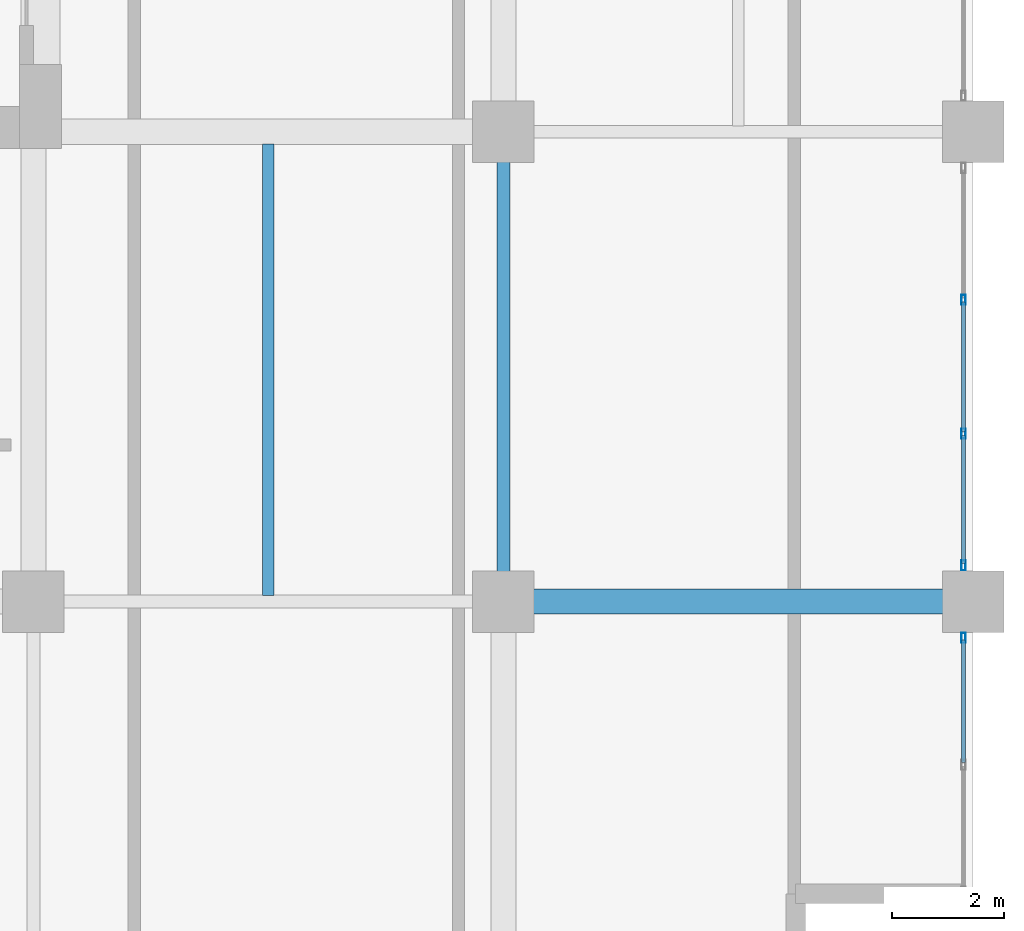
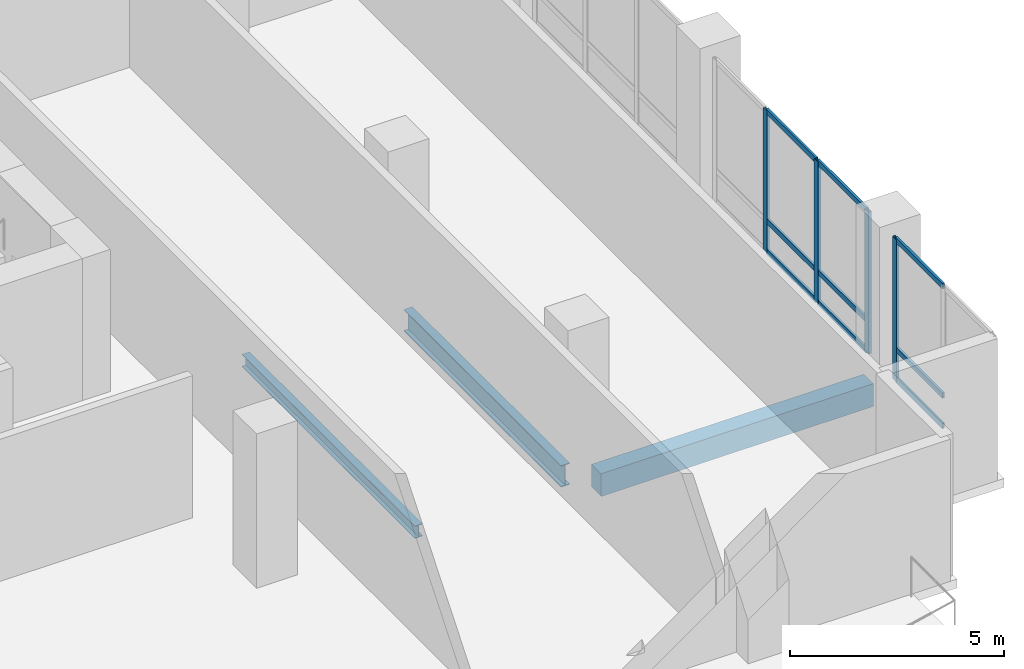
# One storey, part 4 of 25: 13 members, 3 beams, 2 elements without a shape of their own.
"""IFC4 building model written with IfcOpenShell, lengths in metres."""

import ifcopenshell
import ifcopenshell.guid

model = None  # the IFC model being written
_history = None  # IfcOwnerHistory: only IFC2X3 demands one
_inside = {}  # id of a spatial element -> (the spatial element, [elements in it])
_under = {}  # id of a project, library or spatial element -> (it, [spatial elements below it])
_declared = {}  # id of a project -> (the project, [libraries it declares])
_typed = {}  # id of a type object -> (the type object, [elements of that type])
_made_of = {}  # id of a material, layer set ... -> (it, [elements and type objects made of it])


def new_model(schema):
    """Start an empty IFC model of exactly this schema.

    Asked for "IFC4X3", IfcOpenShell would pick the latest addendum, in which some entities
    have other attributes; the version numbers below select the first issue.
    IFC2X3 requires an IfcOwnerHistory on every rooted entity: one is made here for all.
    """
    global model, _history
    if schema == "IFC4X3":
        model = ifcopenshell.file(schema_version=(4, 3, 0, 0))
    else:
        model = ifcopenshell.file(schema=schema)
    _inside.clear()
    _under.clear()
    _declared.clear()
    _typed.clear()
    _made_of.clear()
    _history = None
    if model.schema == "IFC2X3":
        org = make("IfcOrganization", Name="unknown")
        user = make(
            "IfcPersonAndOrganization",
            ThePerson=make("IfcPerson", FamilyName="unknown"),
            TheOrganization=org,
        )
        app = make(
            "IfcApplication",
            ApplicationDeveloper=org,
            Version="unknown",
            ApplicationFullName="unknown",
            ApplicationIdentifier="unknown",
        )
        _history = make(
            "IfcOwnerHistory",
            OwningUser=user,
            OwningApplication=app,
            ChangeAction="ADDED",
            CreationDate=0,
        )
    return model


def make(cls, **values):
    """One entity of the class cls with the attributes given. An attribute that is None is left unset."""
    return model.create_entity(
        cls, **{name: value for name, value in values.items() if value is not None}
    )


def rooted(cls, **values):
    """An entity with a GlobalId (a new one), such as an element, a storey or a relation."""
    return make(cls, GlobalId=ifcopenshell.guid.new(), OwnerHistory=_history, **values)


def si_unit(unit_type, name, prefix=None):
    """IfcSIUnit, for example si_unit("LENGTHUNIT", "METRE", prefix="MILLI")."""
    return make("IfcSIUnit", UnitType=unit_type, Prefix=prefix, Name=name)


def assignment(units):
    """IfcUnitAssignment: the units of a project."""
    return None if units is None else make("IfcUnitAssignment", Units=units)


def point(xyz):
    """IfcCartesianPoint."""
    return None if xyz is None else make("IfcCartesianPoint", Coordinates=xyz)


def direction(xyz):
    """IfcDirection."""
    return None if xyz is None else make("IfcDirection", DirectionRatios=xyz)


def frame(location, z_axis=None, x_axis=None):
    """IfcAxis2Placement3D, a coordinate frame: its origin and axes. An axis left out is left unset."""
    return make(
        "IfcAxis2Placement3D",
        Location=point(location),
        Axis=direction(z_axis),
        RefDirection=direction(x_axis),
    )


def frame_2d(location, x_axis=None):
    """IfcAxis2Placement2D, a coordinate frame in the plane: its origin and x axis."""
    return make(
        "IfcAxis2Placement2D", Location=point(location), RefDirection=direction(x_axis)
    )


def origin():
    """The frame at (0, 0, 0) with its axes left unset."""
    return frame((0.0, 0.0, 0.0))


def origin_2d():
    """The frame at (0, 0) in the plane with its x axis left unset."""
    return frame_2d((0.0, 0.0))


def place(relative_to, where):
    """IfcLocalPlacement: puts the frame where relative to a parent placement (None: the world)."""
    return make(
        "IfcLocalPlacement", PlacementRelTo=relative_to, RelativePlacement=where
    )


def context(
    kind, dimensions, precision=None, world=None, true_north=None, identifier=None
):
    """IfcGeometricRepresentationContext, for example the 3D "Model" context."""
    return make(
        "IfcGeometricRepresentationContext",
        ContextIdentifier=identifier,
        ContextType=kind,
        CoordinateSpaceDimension=dimensions,
        Precision=precision,
        WorldCoordinateSystem=world,
        TrueNorth=true_north,
    )


def subcontext(parent, identifier, kind, view, scale=None):
    """IfcGeometricRepresentationSubContext, for example "Body" below "Model"."""
    return make(
        "IfcGeometricRepresentationSubContext",
        ContextIdentifier=identifier,
        ContextType=kind,
        ParentContext=parent,
        TargetScale=scale,
        TargetView=view,
    )


def project(units=None, contexts=None):
    """IfcProject with its units and contexts."""
    return rooted(
        "IfcProject",
        Name="project",
        RepresentationContexts=contexts,
        UnitsInContext=assignment(units),
    )


def spatial(cls, under=None, at=None, **own):
    """A site, building, storey or space (cls), placed at a placement, below another one or the project."""
    s = rooted(cls, ObjectPlacement=at, **own)
    if under is not None:
        _under.setdefault(under.id(), (under, []))[1].append(s)
    return s


def profile(cls, at=None, kind="AREA", **sizes):
    """A parametric profile (cls). Its sizes go by their IFC names, for example OverallWidth=200.0."""
    return make(cls, ProfileType=kind, Position=at, **sizes)


def rectangle(**sizes):
    """IfcRectangleProfileDef."""
    return profile("IfcRectangleProfileDef", **sizes)


def hollow_rectangle(**sizes):
    """IfcRectangleHollowProfileDef."""
    return profile("IfcRectangleHollowProfileDef", **sizes)


def i_section(**sizes):
    """IfcIShapeProfileDef."""
    return profile("IfcIShapeProfileDef", **sizes)


def extrude(swept, where, along, depth):
    """IfcExtrudedAreaSolid: the profile swept, set in the frame where, extruded along a direction by depth."""
    return make(
        "IfcExtrudedAreaSolid",
        SweptArea=swept,
        Position=where,
        ExtrudedDirection=direction(along),
        Depth=depth,
    )


def shape(context_of_items, identifier, shape_type, items):
    """IfcShapeRepresentation: the items that make up one representation, for example the "Body"."""
    return make(
        "IfcShapeRepresentation",
        ContextOfItems=context_of_items,
        RepresentationIdentifier=identifier,
        RepresentationType=shape_type,
        Items=items,
    )


def material(Name=None, Category=None):
    """IfcMaterial."""
    return make("IfcMaterial", Name=Name, Category=Category)


def layer(
    of_material, thickness, ventilated=None, Name=None, Category=None, Priority=None
):
    """IfcMaterialLayer: one layer of a wall or slab, of a material (None: an air gap)."""
    return make(
        "IfcMaterialLayer",
        Material=of_material,
        LayerThickness=thickness,
        IsVentilated=ventilated,
        Name=Name,
        Category=Category,
        Priority=Priority,
    )


def layer_set(layers, Name=None):
    """IfcMaterialLayerSet."""
    return make("IfcMaterialLayerSet", MaterialLayers=layers, LayerSetName=Name)


def material_profile(
    of_material, cross_section, Name=None, Category=None, Priority=None
):
    """IfcMaterialProfile: a cross section and its material."""
    return make(
        "IfcMaterialProfile",
        Name=Name,
        Material=of_material,
        Profile=cross_section,
        Priority=Priority,
        Category=Category,
    )


def profile_set(profiles, Name=None, composite=None):
    """IfcMaterialProfileSet."""
    return make(
        "IfcMaterialProfileSet",
        Name=Name,
        MaterialProfiles=profiles,
        CompositeProfile=composite,
    )


def made_of(thing, what):
    """Note that an element or type object is made of a material, layer set ...; save() writes the relation."""
    if what is not None:
        _made_of.setdefault(what.id(), (what, []))[1].append(thing)
    return thing


def type_object(cls, material=None, **own):
    """A type object (cls), such as IfcWallType, which elements share."""
    return made_of(rooted(cls, **own), material)


def element(
    cls,
    number,
    at=None,
    inside=None,
    cuts=None,
    type_object=None,
    material=None,
    context=None,
    identifier="Body",
    shape_type=None,
    held_by="IfcProductDefinitionShape",
    body=None,
    shapes=None,
    **own,
):
    """One element of the class cls, such as IfcWall. Its Tag is "e" and its number.

    at: its placement. inside: the storey or other place that contains it. cuts: it is an
    opening in that element (IfcRelVoidsElement). A single representation is given by context,
    identifier, shape_type and body (its items); several are given by shapes. held_by: the class
    of the entity that holds the representations. save() writes the other relations.
    """
    e = rooted(cls, Tag="e%d" % number, ObjectPlacement=at, **own)
    if body is not None:
        shapes = [shape(context, identifier, shape_type, body)]
    if shapes is not None:
        e.Representation = make(held_by, Representations=shapes)
    if inside is not None:
        _inside.setdefault(inside.id(), (inside, []))[1].append(e)
    if cuts is not None:
        rooted(
            "IfcRelVoidsElement", RelatingBuildingElement=cuts, RelatedOpeningElement=e
        )
    if type_object is not None:
        _typed.setdefault(type_object.id(), (type_object, []))[1].append(e)
    return made_of(e, material)


def aggregate(whole, parts):
    """IfcRelAggregates: a whole, such as a stair, and the parts it consists of."""
    return rooted("IfcRelAggregates", RelatingObject=whole, RelatedObjects=parts)


def save(model, path):
    """Write the relations noted so far, then the file.

    IfcRelAggregates (storeys below a building ...), IfcRelContainedInSpatialStructure (elements
    in a storey), IfcRelDefinesByType, IfcRelAssociatesMaterial and IfcRelDeclares: one each for
    every whole, place, type object, material and project.
    """
    for whole, parts in _under.values():
        aggregate(whole, parts)
    for where, things in _inside.values():
        rooted(
            "IfcRelContainedInSpatialStructure",
            RelatedElements=things,
            RelatingStructure=where,
        )
    for kind, things in _typed.values():
        rooted("IfcRelDefinesByType", RelatedObjects=things, RelatingType=kind)
    for what, things in _made_of.values():
        rooted("IfcRelAssociatesMaterial", RelatedObjects=things, RelatingMaterial=what)
    for by, libraries in _declared.values():
        rooted("IfcRelDeclares", RelatingContext=by, RelatedDefinitions=libraries)
    model.write(path)


model = new_model("IFC4")

# Units and contexts
model_context = context("Model", 3, precision=1e-05, world=origin(), true_north=direction((0.0, 1.0)))
body_context = subcontext(model_context, "Body", "Model", "MODEL_VIEW")
ifc_project = project(units=[si_unit("LENGTHUNIT", "METRE"), si_unit("AREAUNIT", "SQUARE_METRE"), si_unit("VOLUMEUNIT", "CUBIC_METRE"), si_unit("PLANEANGLEUNIT", "RADIAN"), si_unit("MASSUNIT", "GRAM", prefix="KILO")], contexts=[model_context])

# Site, building, storey
site_placement = place(None, origin())
site = spatial("IfcSite", under=ifc_project, at=site_placement, CompositionType="ELEMENT")
building_placement = place(site_placement, origin())
building = spatial("IfcBuilding", under=site, at=building_placement, Name="Koriwani Terraces Tower", CompositionType="ELEMENT")
storey_placement = place(building_placement, frame((0.0, 0.0, 157.60009765625)))
storey = spatial("IfcBuildingStorey", under=building, at=storey_placement, Name="L38", CompositionType="ELEMENT", Elevation=157.60009765625)

# Beam
ifc_material_1 = material(Name="Concrete C50/60", Category="concrete")
ifc_material_profile_1 = material_profile(ifc_material_1, rectangle(XDim=0.449951171875, YDim=0.64990234375, at=origin_2d()), Name="Concrete C50/60", Category="LoadBearing")
ifc_profile_set_1 = profile_set([ifc_material_profile_1], Name="Concrete C50/60")
beam_type_1 = type_object("IfcBeamType", Name="BEAM_RC_GRID_450X650", PredefinedType="BEAM", material=ifc_profile_set_1)
beam_1_placement = place(storey_placement, frame((67.72998046875, 8.39990234375, -0.5751953125), z_axis=(1.0, 0.0, 0.0), x_axis=(0.0, 1.0, 0.0)))
element("IfcBeam", 1, at=beam_1_placement, inside=storey, type_object=beam_type_1, Name="L38 Grid Beam B (67.2-75.6m)", PredefinedType="BEAM", context=body_context, shape_type="SweptSolid", body=[
    extrude(rectangle(XDim=0.449951171875, YDim=0.64990234375, at=origin_2d()), origin(), (0.0, 0.0, 1.0), 7.340087890625),
])

# Curtain wall, members
ifc_material_2 = material(Name="Anodised Bronze Aluminium", Category="aluminium")
ifc_layer = layer(ifc_material_2, 0.169921875, Name="Anodised Bronze Aluminium")
ifc_layer_set = layer_set([ifc_layer], Name="Anodised Bronze Aluminium")
curtain_wall_type = type_object("IfcCurtainWallType", Name="CW_RES_ZONE3", PredefinedType="NOTDEFINED", material=ifc_layer_set)
curtain_wall_1_placement = place(storey_placement, origin())
curtain_wall_1 = element("IfcCurtainWall", 2, at=curtain_wall_1_placement, inside=storey, type_object=curtain_wall_type, Name="L38 Unitised Curtain Wall (E_TIP) Bay 3", PredefinedType="NOTDEFINED")
ifc_material_profile_2 = material_profile(ifc_material_2, hollow_rectangle(XDim=0.074951171875, YDim=0.179931640625, WallThickness=0.006103515625, at=origin_2d()), Name="Anodised Bronze Aluminium", Category="LoadBearing")
ifc_profile_set_2 = profile_set([ifc_material_profile_2], Name="Anodised Bronze Aluminium")
member_type_1 = type_object("IfcMemberType", Name="CW_MULLION_180X75", PredefinedType="MULLION", material=ifc_profile_set_2)
member_1_placement = place(storey_placement, frame((75.425048828125, 13.796630859375, 0.0), z_axis=(0.0, 0.0, 1.0), x_axis=(1.0, 0.0, 0.0)))
member_1 = element("IfcMember", 3, at=member_1_placement, type_object=member_type_1, Name="CW-Z3 mullion 2", PredefinedType="MULLION", context=body_context, shape_type="SweptSolid", body=[
    extrude(hollow_rectangle(XDim=0.074951171875, YDim=0.179931640625, WallThickness=0.006103515625, at=origin_2d()), origin(), (0.0, 0.0, 1.0), 4.0498046875),
])
member_2_placement = place(storey_placement, frame((75.425048828125, 11.4033203125, 0.0), z_axis=(0.0, 0.0, 1.0), x_axis=(1.0, 0.0, 0.0)))
member_2 = element("IfcMember", 4, at=member_2_placement, type_object=member_type_1, Name="CW-Z3 mullion 3", PredefinedType="MULLION", context=body_context, shape_type="SweptSolid", body=[
    extrude(hollow_rectangle(XDim=0.074951171875, YDim=0.179931640625, WallThickness=0.006103515625, at=origin_2d()), origin(), (0.0, 0.0, 1.0), 4.0498046875),
])
member_3_placement = place(storey_placement, frame((75.425048828125, 9.047607421875, 0.0), z_axis=(0.0, 0.0, 1.0), x_axis=(1.0, 0.0, 0.0)))
member_3 = element("IfcMember", 5, at=member_3_placement, type_object=member_type_1, Name="CW-Z3 mullion 4", PredefinedType="MULLION", context=body_context, shape_type="SweptSolid", body=[
    extrude(hollow_rectangle(XDim=0.074951171875, YDim=0.179931640625, WallThickness=0.006103515625, at=origin_2d()), origin(), (0.0, 0.0, 1.0), 4.0498046875),
])

# Curtain wall, member
curtain_wall_2_placement = place(storey_placement, origin())
curtain_wall_2 = element("IfcCurtainWall", 6, at=curtain_wall_2_placement, inside=storey, type_object=curtain_wall_type, Name="L38 Unitised Curtain Wall (E_TIP) Bay 4", PredefinedType="NOTDEFINED")
member_4_placement = place(storey_placement, frame((75.425048828125, 7.75244140625, 0.0), z_axis=(0.0, 0.0, 1.0), x_axis=(1.0, 0.0, 0.0)))
member_4 = element("IfcMember", 7, at=member_4_placement, type_object=member_type_1, Name="CW-Z3 mullion 1", PredefinedType="MULLION", context=body_context, shape_type="SweptSolid", body=[
    extrude(hollow_rectangle(XDim=0.074951171875, YDim=0.179931640625, WallThickness=0.006103515625, at=origin_2d()), origin(), (0.0, 0.0, 1.0), 4.0498046875),
])

# Member
ifc_material_profile_3 = material_profile(ifc_material_2, hollow_rectangle(XDim=0.06494140625, YDim=0.14990234375, WallThickness=0.0048828125, at=origin_2d()), Name="Anodised Bronze Aluminium", Category="LoadBearing")
ifc_profile_set_3 = profile_set([ifc_material_profile_3], Name="Anodised Bronze Aluminium")
member_type_2 = type_object("IfcMemberType", Name="CW_TRANSOM_150X65", PredefinedType="USERDEFINED", material=ifc_profile_set_3)
member_5_placement = place(storey_placement, frame((75.425048828125, 13.75927734375, 0.032470703125), z_axis=(0.0, -1.0, 0.0), x_axis=(1.0, 0.0, 0.0)))
member_5 = element("IfcMember", 8, at=member_5_placement, type_object=member_type_2, Name="CW-Z3 transom 2.1", ObjectType="TRANSOM", PredefinedType="USERDEFINED", context=body_context, shape_type="SweptSolid", body=[
    extrude(hollow_rectangle(XDim=0.06494140625, YDim=0.14990234375, WallThickness=0.0048828125, at=origin_2d()), origin(), (0.0, 0.0, 1.0), 2.318359375),
])

member_6_placement = place(storey_placement, frame((75.425048828125, 13.75927734375, 0.89990234375), z_axis=(0.0, -1.0, 0.0), x_axis=(1.0, 0.0, 0.0)))
member_6 = element("IfcMember", 9, at=member_6_placement, type_object=member_type_2, Name="CW-Z3 transom 2.2", ObjectType="TRANSOM", PredefinedType="USERDEFINED", context=body_context, shape_type="SweptSolid", body=[
    extrude(hollow_rectangle(XDim=0.06494140625, YDim=0.14990234375, WallThickness=0.0048828125, at=origin_2d()), origin(), (0.0, 0.0, 1.0), 2.318359375),
])

member_7_placement = place(storey_placement, frame((75.425048828125, 13.75927734375, 4.017333984375), z_axis=(0.0, -1.0, 0.0), x_axis=(1.0, 0.0, 0.0)))
member_7 = element("IfcMember", 10, at=member_7_placement, type_object=member_type_2, Name="CW-Z3 transom 2.3", ObjectType="TRANSOM", PredefinedType="USERDEFINED", context=body_context, shape_type="SweptSolid", body=[
    extrude(hollow_rectangle(XDim=0.06494140625, YDim=0.14990234375, WallThickness=0.0048828125, at=origin_2d()), origin(), (0.0, 0.0, 1.0), 2.318359375),
])

member_8_placement = place(storey_placement, frame((75.425048828125, 11.36572265625, 0.032470703125), z_axis=(0.0, -1.0, 0.0), x_axis=(1.0, 0.0, 0.0)))
member_8 = element("IfcMember", 11, at=member_8_placement, type_object=member_type_2, Name="CW-Z3 transom 3.1", ObjectType="TRANSOM", PredefinedType="USERDEFINED", context=body_context, shape_type="SweptSolid", body=[
    extrude(hollow_rectangle(XDim=0.06494140625, YDim=0.14990234375, WallThickness=0.0048828125, at=origin_2d()), origin(), (0.0, 0.0, 1.0), 2.28076171875),
])

member_9_placement = place(storey_placement, frame((75.425048828125, 11.36572265625, 0.89990234375), z_axis=(0.0, -1.0, 0.0), x_axis=(1.0, 0.0, 0.0)))
member_9 = element("IfcMember", 12, at=member_9_placement, type_object=member_type_2, Name="CW-Z3 transom 3.2", ObjectType="TRANSOM", PredefinedType="USERDEFINED", context=body_context, shape_type="SweptSolid", body=[
    extrude(hollow_rectangle(XDim=0.06494140625, YDim=0.14990234375, WallThickness=0.0048828125, at=origin_2d()), origin(), (0.0, 0.0, 1.0), 2.28076171875),
])

member_10_placement = place(storey_placement, frame((75.425048828125, 11.36572265625, 4.017333984375), z_axis=(0.0, -1.0, 0.0), x_axis=(1.0, 0.0, 0.0)))
member_10 = element("IfcMember", 13, at=member_10_placement, type_object=member_type_2, Name="CW-Z3 transom 3.3", ObjectType="TRANSOM", PredefinedType="USERDEFINED", context=body_context, shape_type="SweptSolid", body=[
    extrude(hollow_rectangle(XDim=0.06494140625, YDim=0.14990234375, WallThickness=0.0048828125, at=origin_2d()), origin(), (0.0, 0.0, 1.0), 2.28076171875),
])

aggregate(curtain_wall_1, [member_1, member_2, member_3, member_5, member_6, member_7, member_8, member_9, member_10])

member_11_placement = place(storey_placement, frame((75.425048828125, 7.715087890625, 0.032470703125), z_axis=(0.0, -1.0, 0.0), x_axis=(1.0, 0.0, 0.0)))
member_11 = element("IfcMember", 14, at=member_11_placement, type_object=member_type_2, Name="CW-Z3 transom 1.1", ObjectType="TRANSOM", PredefinedType="USERDEFINED", context=body_context, shape_type="SweptSolid", body=[
    extrude(hollow_rectangle(XDim=0.06494140625, YDim=0.14990234375, WallThickness=0.0048828125, at=origin_2d()), origin(), (0.0, 0.0, 1.0), 2.195068359375),
])

member_12_placement = place(storey_placement, frame((75.425048828125, 7.715087890625, 0.89990234375), z_axis=(0.0, -1.0, 0.0), x_axis=(1.0, 0.0, 0.0)))
member_12 = element("IfcMember", 15, at=member_12_placement, type_object=member_type_2, Name="CW-Z3 transom 1.2", ObjectType="TRANSOM", PredefinedType="USERDEFINED", context=body_context, shape_type="SweptSolid", body=[
    extrude(hollow_rectangle(XDim=0.06494140625, YDim=0.14990234375, WallThickness=0.0048828125, at=origin_2d()), origin(), (0.0, 0.0, 1.0), 2.195068359375),
])

member_13_placement = place(storey_placement, frame((75.425048828125, 7.715087890625, 4.017333984375), z_axis=(0.0, -1.0, 0.0), x_axis=(1.0, 0.0, 0.0)))
member_13 = element("IfcMember", 16, at=member_13_placement, type_object=member_type_2, Name="CW-Z3 transom 1.3", ObjectType="TRANSOM", PredefinedType="USERDEFINED", context=body_context, shape_type="SweptSolid", body=[
    extrude(hollow_rectangle(XDim=0.06494140625, YDim=0.14990234375, WallThickness=0.0048828125, at=origin_2d()), origin(), (0.0, 0.0, 1.0), 2.195068359375),
])

aggregate(curtain_wall_2, [member_4, member_11, member_12, member_13])

# Beams
ifc_material_3 = material(Name="Steel ASTM A572 Grade 50", Category="steel")
ifc_material_profile_4 = material_profile(ifc_material_3, i_section(OverallWidth=0.205078125, OverallDepth=0.35400390625, WebThickness=0.009521484375, FlangeThickness=0.016845703125, at=origin_2d()), Name="Steel ASTM A572 Grade 50", Category="LoadBearing")
ifc_profile_set_4 = profile_set([ifc_material_profile_4], Name="Steel ASTM A572 Grade 50")
beam_type_2 = type_object("IfcBeamType", Name="STEEL_BEAM_W360X79", PredefinedType="JOIST", material=ifc_profile_set_4)
beam_2_placement = place(storey_placement, frame((63.0, 8.505615234375, -0.427001953125), z_axis=(0.0, 1.0, 0.0), x_axis=(-1.0, 0.0, 0.0)))
element("IfcBeam", 17, at=beam_2_placement, inside=storey, type_object=beam_type_2, Name="L38 Secondary Steel Floor Joist X=63.0m", PredefinedType="JOIST", context=body_context, shape_type="SweptSolid", body=[
    extrude(i_section(OverallWidth=0.205078125, OverallDepth=0.35400390625, WebThickness=0.009521484375, FlangeThickness=0.016845703125, at=origin_2d()), origin(), (0.0, 0.0, 1.0), 8.079345703125),
])
ifc_material_profile_5 = material_profile(ifc_material_3, i_section(OverallWidth=0.23095703125, OverallDepth=0.616943359375, WebThickness=0.015380859375, FlangeThickness=0.0244140625, at=origin_2d()), Name="Steel ASTM A572 Grade 50", Category="LoadBearing")
ifc_profile_set_5 = profile_set([ifc_material_profile_5], Name="Steel ASTM A572 Grade 50")
beam_type_3 = type_object("IfcBeamType", Name="STEEL_BEAM_W610X195", PredefinedType="BEAM", material=ifc_profile_set_5)
beam_3_placement = place(storey_placement, frame((67.199951171875, 8.929931640625, -0.55859375), z_axis=(0.0, 1.0, 0.0), x_axis=(-1.0, 0.0, 0.0)))
element("IfcBeam", 18, at=beam_3_placement, inside=storey, type_object=beam_type_3, Name="L38 Grid Beam 9 (8.4-16.8m)", PredefinedType="BEAM", context=body_context, shape_type="SweptSolid", body=[
    extrude(i_section(OverallWidth=0.23095703125, OverallDepth=0.616943359375, WebThickness=0.015380859375, FlangeThickness=0.0244140625, at=origin_2d()), origin(), (0.0, 0.0, 1.0), 7.340087890625),
])

save(model, "model.ifc")
